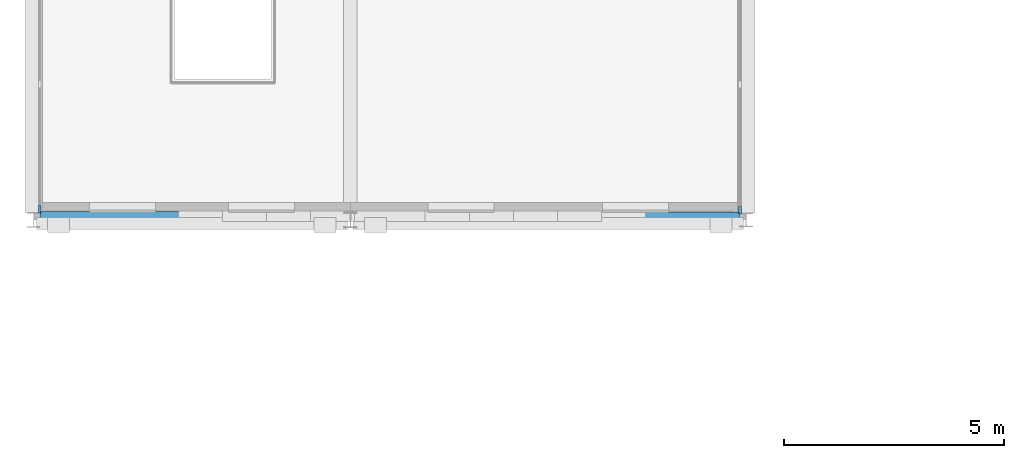
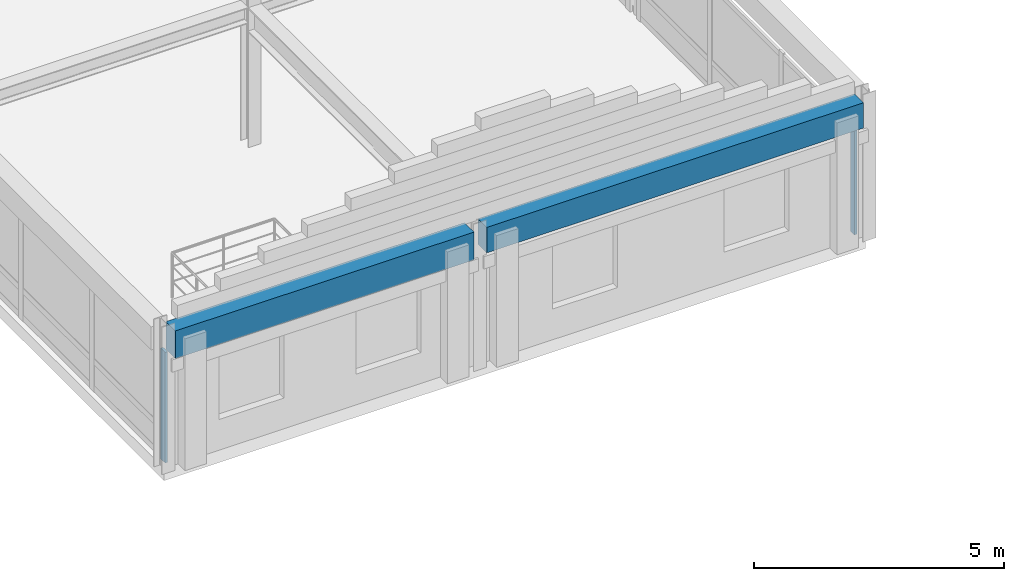
# One storey, part 11 of 52: 2 beams, 2 members, 2 elements without a shape of their own.
"""IFC4 building model written with IfcOpenShell, lengths in metres."""

from ifc_helpers import new_model, si_unit, direction, frame, origin, origin_2d, place, context, subcontext, project, spatial, rectangle, extrude, material, material_profile, profile_set, type_object, element, aggregate, save


model = new_model("IFC4")

# Units and contexts
model_context = context("Model", 3, precision=1e-05, world=origin(), true_north=direction((0.0, 1.0)))
body_context = subcontext(model_context, "Body", "Model", "MODEL_VIEW")
ifc_project = project(units=[si_unit("LENGTHUNIT", "METRE"), si_unit("AREAUNIT", "SQUARE_METRE"), si_unit("VOLUMEUNIT", "CUBIC_METRE"), si_unit("PLANEANGLEUNIT", "RADIAN"), si_unit("MASSUNIT", "GRAM", prefix="KILO")], contexts=[model_context])

# Site, building, storey
site_placement = place(None, origin())
site = spatial("IfcSite", under=ifc_project, at=site_placement, CompositionType="ELEMENT")
building_placement = place(site_placement, origin())
building = spatial("IfcBuilding", under=site, at=building_placement, Name="Clarverna Civic Hall", CompositionType="ELEMENT")
storey_placement = place(building_placement, frame((0.0, 0.0, 16.800048828125)))
storey = spatial("IfcBuildingStorey", under=building, at=storey_placement, Name="L04", CompositionType="ELEMENT", Elevation=16.800048828125)

# Beams
ifc_material_1 = material(Name="Concrete C35/45", Category="concrete")
ifc_material_profile_1 = material_profile(ifc_material_1, rectangle(XDim=0.3798828125, YDim=0.679931640625, at=origin_2d()), Name="RC 380x680")
ifc_profile_set_1 = profile_set([ifc_material_profile_1], Name="Concrete C35/45")
beam_type_1 = type_object("IfcBeamType", Name="B-SP2", PredefinedType="SPANDREL", material=ifc_profile_set_1)
beam_1_placement = place(storey_placement, frame((0.14990234375, 62.60009765625, 3.079833984375), z_axis=(1.0, 0.0, 0.0), x_axis=(0.0, 1.0, 0.0)))
element("IfcBeam", 1, at=beam_1_placement, inside=storey, type_object=beam_type_1, Name="B-SP2-133", PredefinedType="SPANDREL", context=body_context, shape_type="SweptSolid", body=[
    extrude(rectangle(XDim=0.3798828125, YDim=0.679931640625, at=origin_2d()), origin(), (0.0, 0.0, 1.0), 6.900146484375),
])
ifc_material_profile_2 = material_profile(ifc_material_1, rectangle(XDim=0.360107421875, YDim=0.6201171875, at=origin_2d()), Name="RC 360x620")
ifc_profile_set_2 = profile_set([ifc_material_profile_2], Name="Concrete C35/45")
beam_type_2 = type_object("IfcBeamType", Name="B-SP3", PredefinedType="SPANDREL", material=ifc_profile_set_2)
beam_2_placement = place(storey_placement, frame((7.35009765625, 62.60009765625, 3.10986328125), z_axis=(1.0, 0.0, 0.0), x_axis=(0.0, 1.0, 0.0)))
element("IfcBeam", 2, at=beam_2_placement, inside=storey, type_object=beam_type_2, Name="B-SP3-131", PredefinedType="SPANDREL", context=body_context, shape_type="SweptSolid", body=[
    extrude(rectangle(XDim=0.360107421875, YDim=0.6201171875, at=origin_2d()), origin(), (0.0, 0.0, 1.0), 8.699951171875),
])

# Curtain wall, member
ifc_material_2 = material(Name="Anodised Bronze Architectural Aluminium", Category="aluminium")
curtain_wall_type = type_object("IfcCurtainWallType", Name="CW-05", PredefinedType="USERDEFINED", material=ifc_material_2)
curtain_wall_1_placement = place(storey_placement, origin())
curtain_wall_1 = element("IfcCurtainWall", 3, at=curtain_wall_1_placement, inside=storey, type_object=curtain_wall_type, Name="CW-05-023", ObjectType="UNITISED CURTAIN WALL", PredefinedType="USERDEFINED")
ifc_material_profile_3 = material_profile(ifc_material_2, rectangle(XDim=0.06005859375, YDim=0.179931640625, at=origin_2d()), Name="BRONZE 60x180")
ifc_profile_set_3 = profile_set([ifc_material_profile_3], Name="Anodised Bronze Architectural Aluminium")
member_type_1 = type_object("IfcMemberType", Name="CWM-01", PredefinedType="MULLION", material=ifc_profile_set_3)
member_1_placement = place(storey_placement, frame((0.139892578125, 62.843017578125, 0.0), z_axis=(0.0, 0.0, 1.0), x_axis=(1.0, 0.0, 0.0)))
member_1 = element("IfcMember", 4, at=member_1_placement, type_object=member_type_1, Name="CWM-01-182", PredefinedType="MULLION", context=body_context, shape_type="SweptSolid", body=[
    extrude(rectangle(XDim=0.06005859375, YDim=0.179931640625, at=origin_2d()), origin(), (0.0, 0.0, 1.0), 2.699951171875),
])
aggregate(curtain_wall_1, [member_1])

curtain_wall_2_placement = place(storey_placement, origin())
curtain_wall_2 = element("IfcCurtainWall", 5, at=curtain_wall_2_placement, inside=storey, type_object=curtain_wall_type, Name="CW-05-036", ObjectType="UNITISED CURTAIN WALL", PredefinedType="USERDEFINED")
ifc_material_profile_4 = material_profile(ifc_material_2, rectangle(XDim=0.06005859375, YDim=0.159912109375, at=origin_2d()), Name="BRONZE 60x160")
ifc_profile_set_4 = profile_set([ifc_material_profile_4], Name="Anodised Bronze Architectural Aluminium")
member_type_2 = type_object("IfcMemberType", Name="CWM-02", PredefinedType="MULLION", material=ifc_profile_set_4)
member_2_placement = place(storey_placement, frame((16.06005859375, 62.827880859375, 0.0), z_axis=(0.0, 0.0, 1.0), x_axis=(1.0, 0.0, 0.0)))
member_2 = element("IfcMember", 6, at=member_2_placement, type_object=member_type_2, Name="CWM-02-226", PredefinedType="MULLION", context=body_context, shape_type="SweptSolid", body=[
    extrude(rectangle(XDim=0.06005859375, YDim=0.159912109375, at=origin_2d()), origin(), (0.0, 0.0, 1.0), 2.699951171875),
])
aggregate(curtain_wall_2, [member_2])

save(model, "model.ifc")
